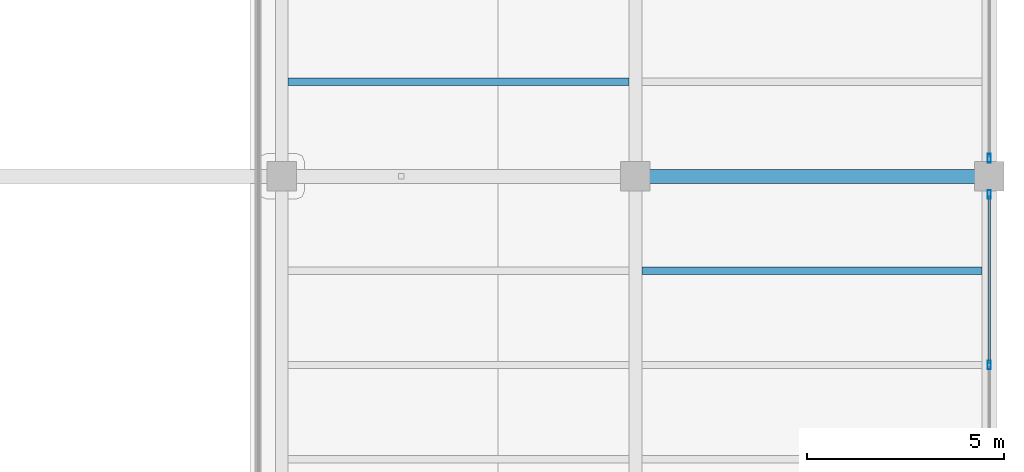
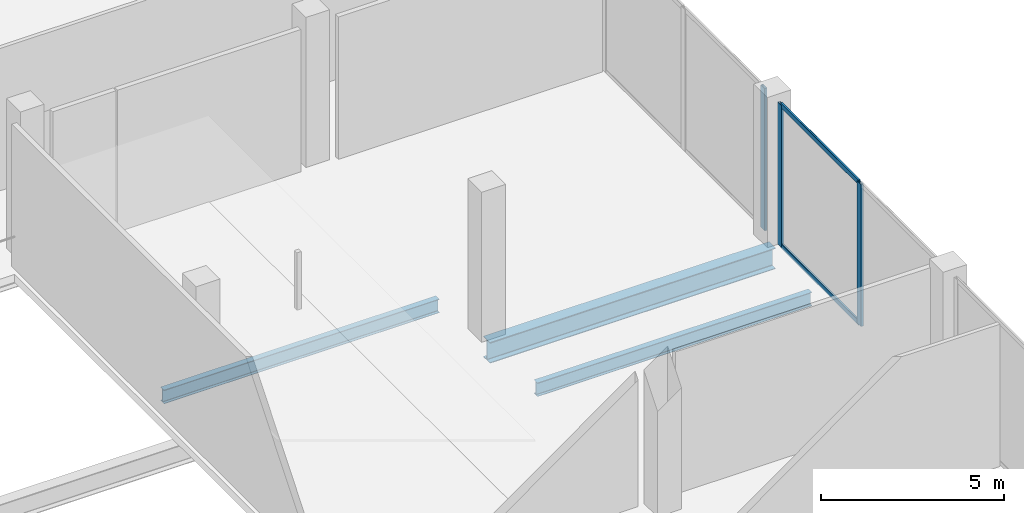
# One storey, part 18 of 47: 5 members, 3 beams, 2 elements without a shape of their own.
"""IFC4 building model written with IfcOpenShell, lengths in metres."""

from ifc_helpers import new_model, si_unit, direction, frame, origin, origin_2d, place, context, subcontext, project, spatial, hollow_rectangle, i_section, extrude, material, layer, layer_set, material_profile, profile_set, type_object, element, aggregate, save


model = new_model("IFC4")

# Units and contexts
model_context = context("Model", 3, precision=1e-05, world=origin(), true_north=direction((0.0, 1.0)))
body_context = subcontext(model_context, "Body", "Model", "MODEL_VIEW")
ifc_project = project(units=[si_unit("LENGTHUNIT", "METRE"), si_unit("AREAUNIT", "SQUARE_METRE"), si_unit("VOLUMEUNIT", "CUBIC_METRE"), si_unit("PLANEANGLEUNIT", "RADIAN"), si_unit("MASSUNIT", "GRAM", prefix="KILO")], contexts=[model_context])

# Site, building, storey
site_placement = place(None, origin())
site = spatial("IfcSite", under=ifc_project, at=site_placement, CompositionType="ELEMENT")
building_placement = place(site_placement, origin())
building = spatial("IfcBuilding", under=site, at=building_placement, Name="Qorvath Tower", CompositionType="ELEMENT")
storey_placement = place(building_placement, frame((0.0, 0.0, 12.0)))
storey = spatial("IfcBuildingStorey", under=building, at=storey_placement, Name="L02", CompositionType="ELEMENT", Elevation=12.0)

# Beams
ifc_material_1 = material(Name="Steel ASTM A992 Grade 50", Category="steel")
ifc_material_profile_1 = material_profile(ifc_material_1, i_section(OverallWidth=0.35595703125, OverallDepth=0.696044921875, WebThickness=0.015380859375, FlangeThickness=0.02490234375, FilletRadius=0.01806640625, at=origin_2d()), Name="W27x146")
ifc_profile_set_1 = profile_set([ifc_material_profile_1], Name="Steel ASTM A992 Grade 50")
beam_type_1 = type_object("IfcBeamType", Name="BM-FG4", PredefinedType="BEAM", material=ifc_profile_set_1)
beam_1_placement = place(storey_placement, frame((68.39990234375, 0.0, -0.60791015625), z_axis=(1.0, 0.0, 0.0), x_axis=(0.0, 1.0, 0.0)))
element("IfcBeam", 1, at=beam_1_placement, inside=storey, type_object=beam_type_1, Name="Library E-W Girder L02-5-5", PredefinedType="BEAM", context=body_context, shape_type="SweptSolid", body=[
    extrude(i_section(OverallWidth=0.35595703125, OverallDepth=0.696044921875, WebThickness=0.015380859375, FlangeThickness=0.02490234375, FilletRadius=0.01806640625, at=origin_2d()), origin(), (0.0, 0.0, 1.0), 9.0),
])
ifc_material_2 = material(Name="Steel ASTM A992 Grade 50", Category="steel")
ifc_material_profile_2 = material_profile(ifc_material_2, i_section(OverallWidth=0.18994140625, OverallDepth=0.45703125, WebThickness=0.009033203125, FlangeThickness=0.014404296875, FilletRadius=0.011962890625, at=origin_2d()), Name="W18x50")
ifc_profile_set_2 = profile_set([ifc_material_profile_2], Name="Steel ASTM A992 Grade 50")
beam_type_2 = type_object("IfcBeamType", Name="BM-FJ2", PredefinedType="JOIST", material=ifc_profile_set_2)
beam_2_placement = place(storey_placement, frame((68.560546875, -2.39990234375, -0.488525390625), z_axis=(1.0, 0.0, 0.0), x_axis=(0.0, 1.0, 0.0)))
element("IfcBeam", 2, at=beam_2_placement, inside=storey, type_object=beam_type_2, Name="Library Stack Joist L02-4.3-5", PredefinedType="JOIST", context=body_context, shape_type="SweptSolid", body=[
    extrude(i_section(OverallWidth=0.18994140625, OverallDepth=0.45703125, WebThickness=0.009033203125, FlangeThickness=0.014404296875, FilletRadius=0.011962890625, at=origin_2d()), origin(), (0.0, 0.0, 1.0), 8.65087890625),
])
beam_3_placement = place(storey_placement, frame((59.560546875, 2.39990234375, -0.488525390625), z_axis=(1.0, 0.0, 0.0), x_axis=(0.0, 1.0, 0.0)))
element("IfcBeam", 3, at=beam_3_placement, inside=storey, type_object=beam_type_2, Name="Library Stack Joist L02-5.1-4", PredefinedType="JOIST", context=body_context, shape_type="SweptSolid", body=[
    extrude(i_section(OverallWidth=0.18994140625, OverallDepth=0.45703125, WebThickness=0.009033203125, FlangeThickness=0.014404296875, FilletRadius=0.011962890625, at=origin_2d()), origin(), (0.0, 0.0, 1.0), 8.678955078125),
])

# Curtain wall, members
ifc_material_3 = material(Name="Anodised aluminium and triple low-E glass", Category="aluminium")
ifc_layer = layer(ifc_material_3, 0.179931640625)
ifc_layer_set = layer_set([ifc_layer], Name="CW-SYS-6")
curtain_wall_type = type_object("IfcCurtainWallType", Name="CW-SYS-6", PredefinedType="NOTDEFINED", material=ifc_layer_set)
curtain_wall_1_placement = place(storey_placement, origin())
curtain_wall_1 = element("IfcCurtainWall", 4, at=curtain_wall_1_placement, inside=storey, type_object=curtain_wall_type, Name="Curtain Wall CW-6 CW-LIB-E-L02-4", PredefinedType="NOTDEFINED")
ifc_material_4 = material(Name="Anodised aluminium 6063-T6", Category="aluminium")
ifc_material_profile_3 = material_profile(ifc_material_4, hollow_rectangle(XDim=0.080078125, YDim=0.219970703125, WallThickness=0.00439453125, InnerFilletRadius=0.00439453125, OuterFilletRadius=0.009033203125, at=origin_2d()), Name="CWM LIB 220x80")
ifc_profile_set_3 = profile_set([ifc_material_profile_3], Name="Anodised aluminium 6063-T6")
member_type_1 = type_object("IfcMemberType", Name="CWM-LIB", PredefinedType="MULLION", material=ifc_profile_set_3)
member_1_placement = place(storey_placement, frame((77.39990234375, -4.7998046875, 0.0), z_axis=(0.0, 0.0, 1.0), x_axis=(-1.0, 0.0, 0.0)))
member_1 = element("IfcMember", 5, at=member_1_placement, type_object=member_type_1, Name="CW-6 mullion 2", PredefinedType="MULLION", context=body_context, shape_type="SweptSolid", body=[
    extrude(hollow_rectangle(XDim=0.080078125, YDim=0.219970703125, WallThickness=0.00439453125, InnerFilletRadius=0.00439453125, OuterFilletRadius=0.009033203125, at=origin_2d()), origin(), (0.0, 0.0, 1.0), 4.739990234375),
])
member_2_placement = place(storey_placement, frame((77.39990234375, -0.4599609375, 0.0), z_axis=(0.0, 0.0, 1.0), x_axis=(-1.0, 0.0, 0.0)))
member_2 = element("IfcMember", 6, at=member_2_placement, type_object=member_type_1, Name="CW-6 mullion 3", PredefinedType="MULLION", context=body_context, shape_type="SweptSolid", body=[
    extrude(hollow_rectangle(XDim=0.080078125, YDim=0.219970703125, WallThickness=0.00439453125, InnerFilletRadius=0.00439453125, OuterFilletRadius=0.009033203125, at=origin_2d()), origin(), (0.0, 0.0, 1.0), 4.739990234375),
])

# Curtain wall, member
curtain_wall_2_placement = place(storey_placement, origin())
curtain_wall_2 = element("IfcCurtainWall", 7, at=curtain_wall_2_placement, inside=storey, type_object=curtain_wall_type, Name="Curtain Wall CW-6 CW-LIB-E-L02-5", PredefinedType="NOTDEFINED")
member_3_placement = place(storey_placement, frame((77.39990234375, 0.4599609375, 0.0), z_axis=(0.0, 0.0, 1.0), x_axis=(-1.0, 0.0, 0.0)))
member_3 = element("IfcMember", 8, at=member_3_placement, type_object=member_type_1, Name="CW-6 mullion 1", PredefinedType="MULLION", context=body_context, shape_type="SweptSolid", body=[
    extrude(hollow_rectangle(XDim=0.080078125, YDim=0.219970703125, WallThickness=0.00439453125, InnerFilletRadius=0.00439453125, OuterFilletRadius=0.009033203125, at=origin_2d()), origin(), (0.0, 0.0, 1.0), 4.739990234375),
])
aggregate(curtain_wall_2, [member_3])

# Member
ifc_material_5 = material(Name="Anodised aluminium 6063-T6", Category="aluminium")
ifc_material_profile_4 = material_profile(ifc_material_5, hollow_rectangle(XDim=0.06494140625, YDim=0.159912109375, WallThickness=0.00341796875, InnerFilletRadius=0.00341796875, OuterFilletRadius=0.007080078125, at=origin_2d()), Name="CWT 160x65")
ifc_profile_set_4 = profile_set([ifc_material_profile_4], Name="Anodised aluminium 6063-T6")
member_type_2 = type_object("IfcMemberType", Name="CWT-160", PredefinedType="USERDEFINED", material=ifc_profile_set_4)
member_4_placement = place(storey_placement, frame((77.39990234375, -4.760009765625, 0.032470703125), z_axis=(0.0, 1.0, 0.0), x_axis=(-1.0, 0.0, 0.0)))
member_4 = element("IfcMember", 9, at=member_4_placement, type_object=member_type_2, Name="CW-6 transom 2.1", ObjectType="TRANSOM", PredefinedType="USERDEFINED", context=body_context, shape_type="SweptSolid", body=[
    extrude(hollow_rectangle(XDim=0.06494140625, YDim=0.159912109375, WallThickness=0.00341796875, InnerFilletRadius=0.00341796875, OuterFilletRadius=0.007080078125, at=origin_2d()), origin(), (0.0, 0.0, 1.0), 4.260009765625),
])

member_5_placement = place(storey_placement, frame((77.39990234375, -4.760009765625, 4.70751953125), z_axis=(0.0, 1.0, 0.0), x_axis=(-1.0, 0.0, 0.0)))
member_5 = element("IfcMember", 10, at=member_5_placement, type_object=member_type_2, Name="CW-6 transom 2.2", ObjectType="TRANSOM", PredefinedType="USERDEFINED", context=body_context, shape_type="SweptSolid", body=[
    extrude(hollow_rectangle(XDim=0.06494140625, YDim=0.159912109375, WallThickness=0.00341796875, InnerFilletRadius=0.00341796875, OuterFilletRadius=0.007080078125, at=origin_2d()), origin(), (0.0, 0.0, 1.0), 4.260009765625),
])

aggregate(curtain_wall_1, [member_1, member_2, member_4, member_5])

save(model, "model.ifc")
